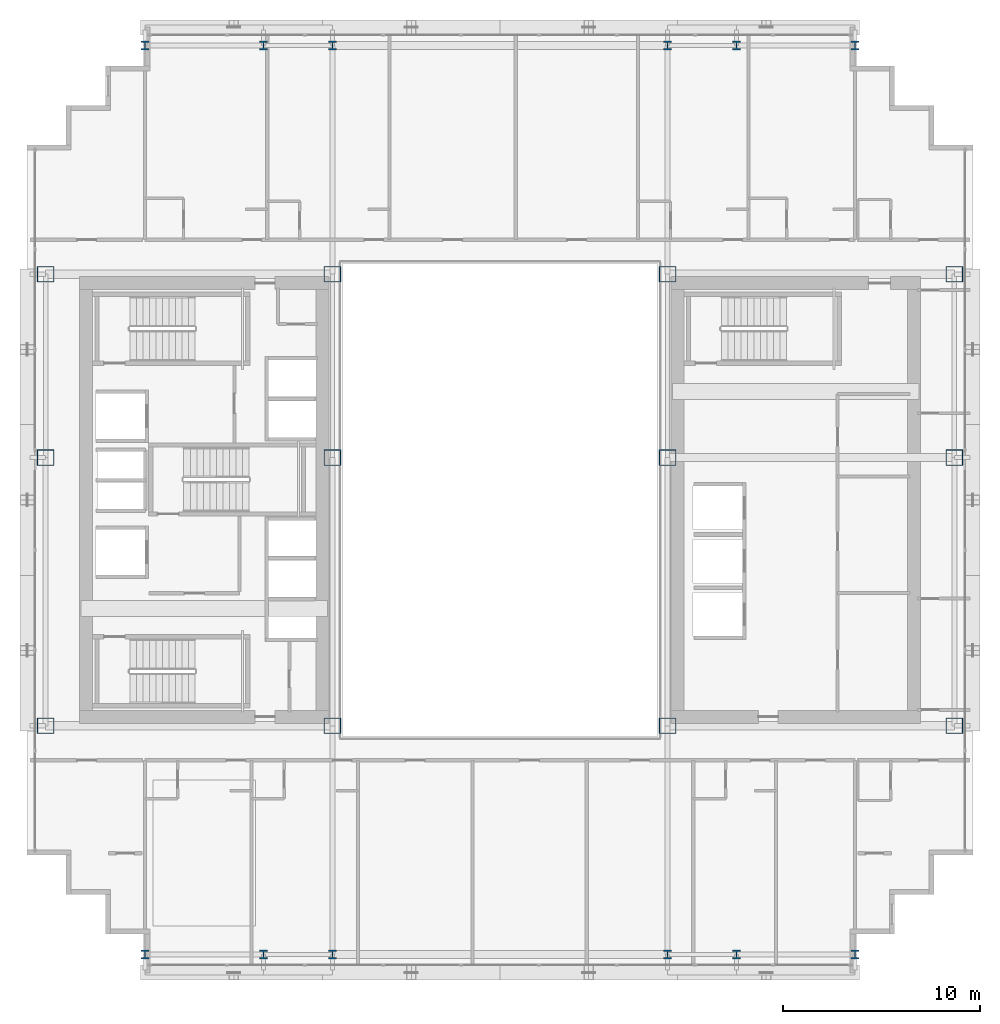
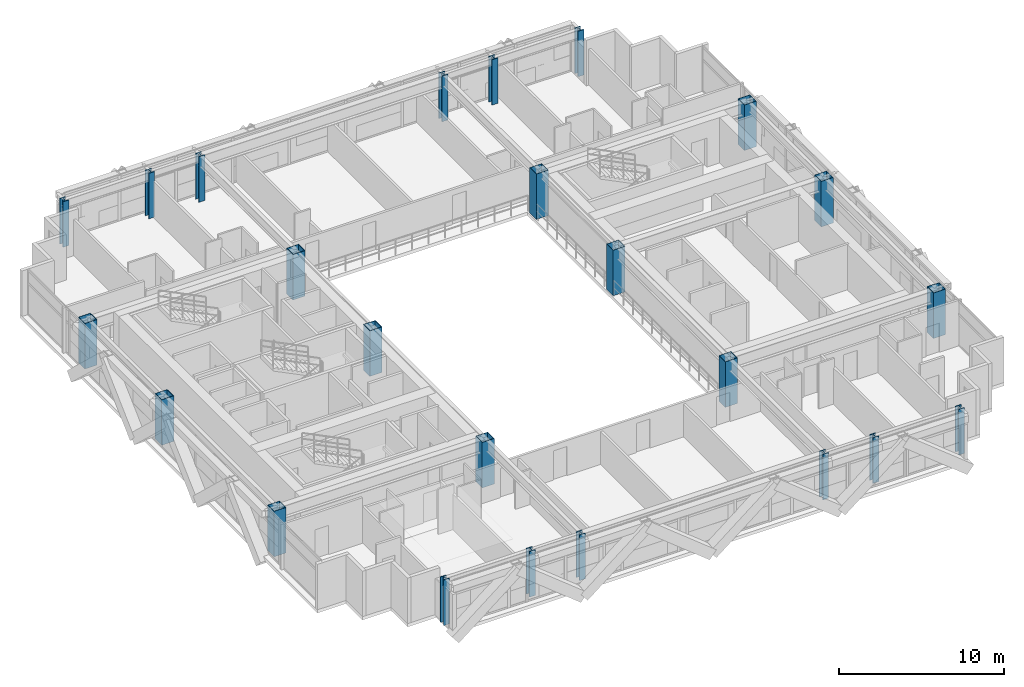
# One storey, part 1 of 35: 24 columns.
"""IFC4 building model written with IfcOpenShell, lengths in metres."""

from ifc_helpers import new_model, si_unit, direction, frame, origin, origin_2d, place, context, subcontext, project, spatial, hollow_rectangle, i_section, extrude, source, transform, mapped, material, material_profile, profile_set, type_object, element, save


model = new_model("IFC4")

# Units and contexts
model_context = context("Model", 3, precision=1e-05, world=origin(), true_north=direction((0.0, 1.0)))
body_context = subcontext(model_context, "Body", "Model", "MODEL_VIEW")
ifc_project = project(units=[si_unit("LENGTHUNIT", "METRE"), si_unit("AREAUNIT", "SQUARE_METRE"), si_unit("VOLUMEUNIT", "CUBIC_METRE"), si_unit("PLANEANGLEUNIT", "RADIAN"), si_unit("MASSUNIT", "GRAM", prefix="KILO")], contexts=[model_context])

# Site, building, storey
site_placement = place(None, origin())
site = spatial("IfcSite", under=ifc_project, at=site_placement, CompositionType="ELEMENT")
building_placement = place(site_placement, origin())
building = spatial("IfcBuilding", under=site, at=building_placement, Name="Ocotamira Hotel", CompositionType="ELEMENT")
storey_placement = place(building_placement, frame((0.0, 0.0, 118.800048828125)))
storey = spatial("IfcBuildingStorey", under=building, at=storey_placement, Name="L29", CompositionType="ELEMENT", Elevation=118.800048828125)

# Columns
ifc_material = material(Name="Steel ASTM A913 Grade 65", Category="steel")
ifc_material_profile_1 = material_profile(ifc_material, hollow_rectangle(XDim=0.85009765625, YDim=0.800048828125, WallThickness=0.031982421875, at=origin_2d()), Name="BOX800X850X32")
ifc_profile_set_1 = profile_set([ifc_material_profile_1], Name="Steel ASTM A913 Grade 65")
column_type_1 = type_object("IfcColumnType", Name="COL-BOX800", PredefinedType="COLUMN", material=ifc_profile_set_1)
shared_shape_1 = source(origin(), body_context, "Body", "SweptSolid", [
    extrude(hollow_rectangle(XDim=0.85009765625, YDim=0.800048828125, WallThickness=0.031982421875, at=origin_2d()), origin(), (0.0, 0.0, 1.0), 3.35986328125),
])
for number, where, z_axis, x_axis, name in (
    (1, (8.949951171875, 14.550048828125, 0.0), (0.0, 0.0, 1.0), (1.0, 0.0, 0.0), "L29 Column TW8_14"),
    (2, (23.5, 14.550048828125, 0.0), (0.0, 0.0, 1.0), (1.0, 0.0, 0.0), "L29 Column TW23_14"),
    (3, (40.5, 14.550048828125, 0.0), (0.0, 0.0, 1.0), (1.0, 0.0, 0.0), "L29 Column TE40_14"),
    (4, (55.050048828125, 14.550048828125, 0.0), (0.0, 0.0, 1.0), (1.0, 0.0, 0.0), "L29 Column TE55_14"),
    (5, (8.949951171875, 28.14990234375, 0.0), (0.0, 0.0, 1.0), (1.0, 0.0, 0.0), "L29 Column TW8_28"),
    (6, (23.5, 28.14990234375, 0.0), (0.0, 0.0, 1.0), (1.0, 0.0, 0.0), "L29 Column TW23_28"),
    (7, (40.5, 28.14990234375, 0.0), (0.0, 0.0, 1.0), (1.0, 0.0, 0.0), "L29 Column TE40_28"),
    (8, (55.050048828125, 28.14990234375, 0.0), (0.0, 0.0, 1.0), (1.0, 0.0, 0.0), "L29 Column TE55_28"),
    (9, (8.949951171875, 37.449951171875, 0.0), (0.0, 0.0, 1.0), (1.0, 0.0, 0.0), "L29 Column TW8_37"),
    (10, (23.5, 37.449951171875, 0.0), (0.0, 0.0, 1.0), (1.0, 0.0, 0.0), "L29 Column TW23_37"),
    (11, (40.5, 37.449951171875, 0.0), (0.0, 0.0, 1.0), (1.0, 0.0, 0.0), "L29 Column TE40_37"),
    (12, (55.050048828125, 37.449951171875, 0.0), (0.0, 0.0, 1.0), (1.0, 0.0, 0.0), "L29 Column TE55_37"),
):
    element("IfcColumn", number, at=place(storey_placement, frame(where, z_axis=z_axis, x_axis=x_axis)), inside=storey, type_object=column_type_1, Name=name, PredefinedType="COLUMN", context=body_context, shape_type="MappedRepresentation", body=[
        mapped(shared_shape_1, transform((0.0, 0.0, 0.0), scale=1.0)),
    ])
ifc_material_profile_2 = material_profile(ifc_material, i_section(OverallWidth=0.412109375, OverallDepth=0.43505859375, WebThickness=0.035888671875, FlangeThickness=0.057373046875, FilletRadius=0.02490234375, at=origin_2d()), Name="W14X311")
ifc_profile_set_2 = profile_set([ifc_material_profile_2], Name="Steel ASTM A913 Grade 65")
column_type_2 = type_object("IfcColumnType", Name="COL-W14X311", PredefinedType="COLUMN", material=ifc_profile_set_2)
shared_shape_2 = source(origin(), body_context, "Body", "SweptSolid", [
    extrude(i_section(OverallWidth=0.412109375, OverallDepth=0.43505859375, WebThickness=0.035888671875, FlangeThickness=0.057373046875, FilletRadius=0.02490234375, at=origin_2d()), origin(), (0.0, 0.0, 1.0), 3.35986328125),
])
for number, where, z_axis, x_axis, name in (
    (13, (14.0, 2.949951171875, 0.0), (0.0, 0.0, 1.0), (1.0, 0.0, 0.0), "L29 Column NSP1_14"),
    (14, (20.0, 2.949951171875, 0.0), (0.0, 0.0, 1.0), (1.0, 0.0, 0.0), "L29 Column NSP1_20"),
    (15, (23.5, 2.949951171875, 0.0), (0.0, 0.0, 1.0), (1.0, 0.0, 0.0), "L29 Column NSP1_23"),
    (16, (40.5, 2.949951171875, 0.0), (0.0, 0.0, 1.0), (1.0, 0.0, 0.0), "L29 Column NSP1_40"),
    (17, (44.0, 2.949951171875, 0.0), (0.0, 0.0, 1.0), (1.0, 0.0, 0.0), "L29 Column NSP1_44"),
    (18, (50.0, 2.949951171875, 0.0), (0.0, 0.0, 1.0), (1.0, 0.0, 0.0), "L29 Column NSP1_50"),
    (19, (14.0, 49.050048828125, 0.0), (0.0, 0.0, 1.0), (1.0, 0.0, 0.0), "L29 Column NSP2_14"),
    (20, (20.0, 49.050048828125, 0.0), (0.0, 0.0, 1.0), (1.0, 0.0, 0.0), "L29 Column NSP2_20"),
    (21, (23.5, 49.050048828125, 0.0), (0.0, 0.0, 1.0), (1.0, 0.0, 0.0), "L29 Column NSP2_23"),
    (22, (40.5, 49.050048828125, 0.0), (0.0, 0.0, 1.0), (1.0, 0.0, 0.0), "L29 Column NSP2_40"),
    (23, (44.0, 49.050048828125, 0.0), (0.0, 0.0, 1.0), (1.0, 0.0, 0.0), "L29 Column NSP2_44"),
    (24, (50.0, 49.050048828125, 0.0), (0.0, 0.0, 1.0), (1.0, 0.0, 0.0), "L29 Column NSP2_50"),
):
    element("IfcColumn", number, at=place(storey_placement, frame(where, z_axis=z_axis, x_axis=x_axis)), inside=storey, type_object=column_type_2, Name=name, PredefinedType="COLUMN", context=body_context, shape_type="MappedRepresentation", body=[
        mapped(shared_shape_2, transform((0.0, 0.0, 0.0), scale=1.0)),
    ])

save(model, "model.ifc")
